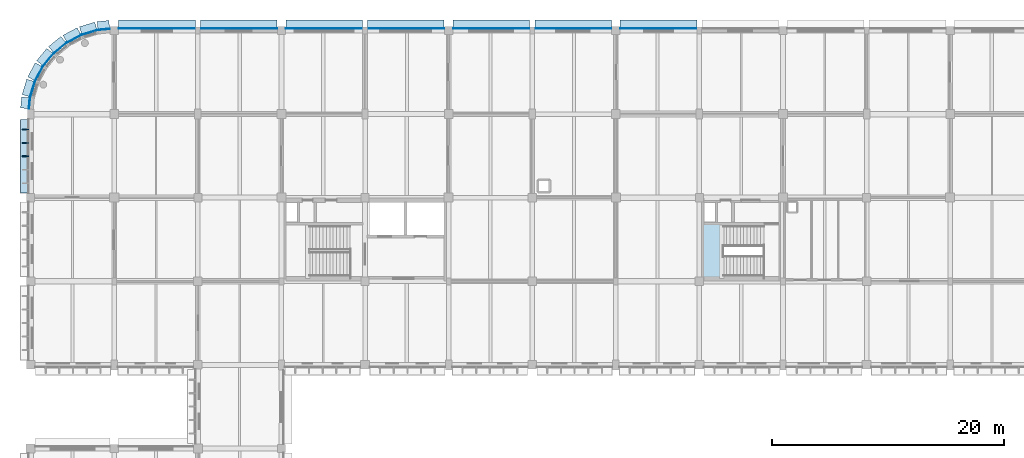
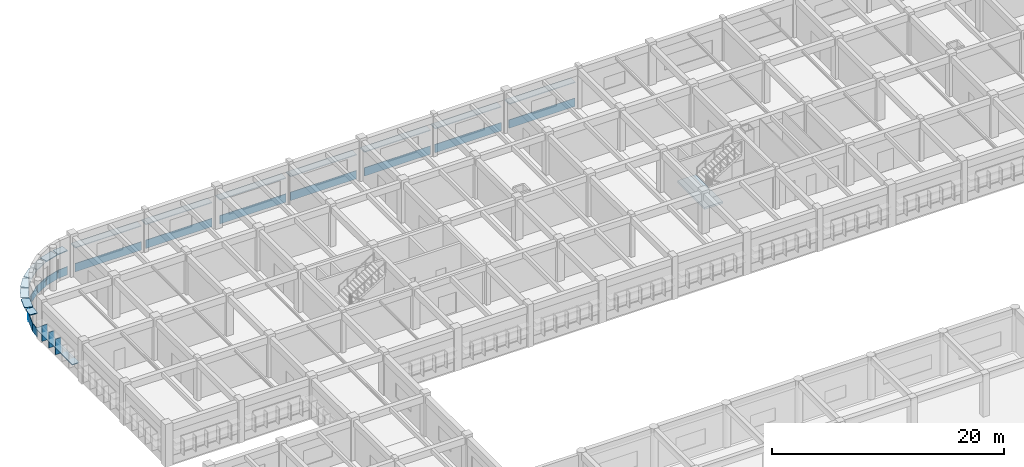
# One storey, part 27 of 61: 34 plates, 1 slab, 1 element without a shape of its own.
"""IFC4 building model written with IfcOpenShell, lengths in metres."""

from ifc_helpers import new_model, si_unit, direction, frame, origin, origin_2d, place, context, subcontext, project, spatial, polyline, rectangle, outline, extrude, material, layer, layer_set, type_object, element, aggregate, save


model = new_model("IFC4")

# Units and contexts
model_context = context("Model", 3, precision=1e-05, world=origin(), true_north=direction((0.0, 1.0)))
body_context = subcontext(model_context, "Body", "Model", "MODEL_VIEW")
ifc_project = project(units=[si_unit("LENGTHUNIT", "METRE"), si_unit("AREAUNIT", "SQUARE_METRE"), si_unit("VOLUMEUNIT", "CUBIC_METRE"), si_unit("PLANEANGLEUNIT", "RADIAN"), si_unit("MASSUNIT", "GRAM", prefix="KILO")], contexts=[model_context])

# Site, building, storey
site_placement = place(None, origin())
site = spatial("IfcSite", under=ifc_project, at=site_placement, CompositionType="ELEMENT")
building_placement = place(site_placement, origin())
building = spatial("IfcBuilding", under=site, at=building_placement, Name="Thalmaran Polytechnic", CompositionType="ELEMENT")
storey_placement = place(building_placement, frame((0.0, 0.0, 9.89990234375)))
storey = spatial("IfcBuildingStorey", under=building, at=storey_placement, Name="L02", CompositionType="ELEMENT", Elevation=9.89990234375)

# Plates
ifc_material_1 = material(Name="Anodised aluminium spandrel band", Category="aluminium")
ifc_layer_1 = layer(ifc_material_1, 0.054931640625, Name="Anodised aluminium spandrel band")
ifc_layer_set_1 = layer_set([ifc_layer_1], Name="Anodised aluminium spandrel band")
plate_type_1 = type_object("IfcPlateType", Name="PT-BD01", PredefinedType="SHEET", material=ifc_layer_set_1)
plate_1_placement = place(storey_placement, frame((-0.10400390625, 116.1328125, 0.020263671875), z_axis=(0.0, 0.0, 1.0), x_axis=(0.09801714033, 0.995184726672, 0.0)))
element("IfcPlate", 1, at=plate_1_placement, inside=storey, type_object=plate_type_1, Name="Streamline Horizontal Spandrel Band L02-021", PredefinedType="SHEET", context=body_context, shape_type="SweptSolid", body=[
    extrude(rectangle(XDim=0.9462890625, YDim=0.054931640625, at=origin_2d()), origin(), (0.0, 0.0, 1.0), 0.8798828125),
])
for number, where, z_axis, x_axis, name in (
    (2, (0.156494140625, 117.336669921875, 0.020263671875), (0.0, 0.0, 1.0), (0.290284677254, 0.956940335732, 0.0), "Streamline Horizontal Spandrel Band L02-022"),
    (3, (0.708740234375, 118.669677734375, 0.020263671875), (0.0, 0.0, 1.0), (0.471396736826, 0.881921264348, 0.0), "Streamline Horizontal Spandrel Band L02-023"),
    (4, (1.510498046875, 119.869384765625, 0.020263671875), (0.0, 0.0, 1.0), (0.634393284164, 0.773010453363, 0.0), "Streamline Horizontal Spandrel Band L02-024"),
    (5, (2.53076171875, 120.8896484375, 0.020263671875), (0.0, 0.0, 1.0), (0.773010453363, 0.634393284164, 0.0), "Streamline Horizontal Spandrel Band L02-025"),
    (6, (3.737548828125, 121.677978515625, 0.020263671875), (0.0, 0.0, 1.0), (0.881921264348, 0.471396736826, 0.0), "Streamline Horizontal Spandrel Band L02-026"),
    (7, (5.06787109375, 122.22900390625, 0.020263671875), (0.0, 0.0, 1.0), (0.956940335732, 0.290284677254, 0.0), "Streamline Horizontal Spandrel Band L02-027"),
):
    element("IfcPlate", number, at=place(storey_placement, frame(where, z_axis=z_axis, x_axis=x_axis)), inside=storey, type_object=plate_type_1, Name=name, PredefinedType="SHEET", context=body_context, shape_type="SweptSolid", body=[
        extrude(rectangle(XDim=1.371337890625, YDim=0.054931640625, at=origin_2d()), origin(), (0.0, 0.0, 1.0), 0.8798828125),
    ])
plate_2_placement = place(storey_placement, frame((6.30078125, 122.492431640625, 0.020263671875), z_axis=(0.0, 0.0, 1.0), x_axis=(0.995184726672, 0.09801714033, 0.0)))
element("IfcPlate", 8, at=plate_2_placement, inside=storey, type_object=plate_type_1, Name="Streamline Horizontal Spandrel Band L02-028", PredefinedType="SHEET", context=body_context, shape_type="SweptSolid", body=[
    extrude(rectangle(XDim=1.011474609375, YDim=0.054931640625, at=origin_2d()), origin(), (0.0, 0.0, 1.0), 0.8798828125),
])
for number, where, z_axis, x_axis, name in (
    (9, (10.8798828125, 122.580078125, 0.020263671875), (0.0, 0.0, 1.0), (1.0, 0.0, 0.0), "Streamline Horizontal Spandrel Band L02-029"),
    (10, (17.919921875, 122.580078125, 0.020263671875), (0.0, 0.0, 1.0), (1.0, 0.0, 0.0), "Streamline Horizontal Spandrel Band L02-030"),
    (11, (25.280029296875, 122.580078125, 0.020263671875), (0.0, 0.0, 1.0), (1.0, 0.0, 0.0), "Streamline Horizontal Spandrel Band L02-031"),
    (12, (32.320068359375, 122.580078125, 0.020263671875), (0.0, 0.0, 1.0), (1.0, 0.0, 0.0), "Streamline Horizontal Spandrel Band L02-032"),
    (13, (39.679931640625, 122.580078125, 0.020263671875), (0.0, 0.0, 1.0), (1.0, 0.0, 0.0), "Streamline Horizontal Spandrel Band L02-033"),
    (14, (46.719970703125, 122.580078125, 0.020263671875), (0.0, 0.0, 1.0), (1.0, 0.0, 0.0), "Streamline Horizontal Spandrel Band L02-034"),
    (15, (54.080078125, 122.580078125, 0.020263671875), (0.0, 0.0, 1.0), (1.0, 0.0, 0.0), "Streamline Horizontal Spandrel Band L02-035"),
):
    element("IfcPlate", number, at=place(storey_placement, frame(where, z_axis=z_axis, x_axis=x_axis)), inside=storey, type_object=plate_type_1, Name=name, PredefinedType="SHEET", context=body_context, shape_type="SweptSolid", body=[
        extrude(rectangle(XDim=6.60009765625, YDim=0.054931640625, at=origin_2d()), origin(), (0.0, 0.0, 1.0), 0.8798828125),
    ])
ifc_material_2 = material(Name="Anodised aluminium sun-hood eyebrow", Category="aluminium")
ifc_layer_2 = layer(ifc_material_2, 0.0849609375, Name="Anodised aluminium sun-hood eyebrow")
ifc_layer_set_2 = layer_set([ifc_layer_2], Name="Anodised aluminium sun-hood eyebrow")
plate_type_2 = type_object("IfcPlateType", Name="PT-EB01", PredefinedType="SHEET", material=ifc_layer_set_2)
plate_3_placement = place(storey_placement, frame((-0.52001953125, 111.5625, 1.74267578125), z_axis=(0.0, 0.0, 1.0), x_axis=(0.0, 1.0, 0.0)))
element("IfcPlate", 16, at=plate_3_placement, inside=storey, type_object=plate_type_2, Name="Abu Dhabi Horizontal Solar Louvre L02-020", PredefinedType="SHEET", context=body_context, shape_type="SweptSolid", body=[
    extrude(rectangle(XDim=6.344970703125, YDim=0.719970703125, at=origin_2d()), origin(), (0.0, 0.0, 1.0), 0.074951171875),
])
plate_4_placement = place(storey_placement, frame((-0.447509765625, 116.166748046875, 2.517578125), z_axis=(0.0, 0.0, 1.0), x_axis=(0.09801714033, 0.995184726672, 0.0)))
element("IfcPlate", 17, at=plate_4_placement, inside=storey, type_object=plate_type_2, Name="Streamline Sun-Hood Eyebrow L02-021", PredefinedType="SHEET", context=body_context, shape_type="SweptSolid", body=[
    extrude(rectangle(XDim=0.9462890625, YDim=0.760009765625, at=origin_2d()), origin(), (0.0, 0.0, 1.0), 0.0849609375),
])
for number, where, z_axis, x_axis, name in (
    (18, (-0.173583984375, 117.436767578125, 2.517578125), (0.0, 0.0, 1.0), (0.290284677254, 0.956940335732, 0.0), "Streamline Sun-Hood Eyebrow L02-022"),
    (19, (0.404541015625, 118.832275390625, 2.517578125), (0.0, 0.0, 1.0), (0.471396736826, 0.881921264348, 0.0), "Streamline Sun-Hood Eyebrow L02-023"),
    (20, (1.24365234375, 120.088134765625, 2.517578125), (0.0, 0.0, 1.0), (0.634393284164, 0.773010453363, 0.0), "Streamline Sun-Hood Eyebrow L02-024"),
    (21, (2.311767578125, 121.15625, 2.517578125), (0.0, 0.0, 1.0), (0.773010453363, 0.634393284164, 0.0), "Streamline Sun-Hood Eyebrow L02-025"),
    (22, (3.57470703125, 121.982177734375, 2.517578125), (0.0, 0.0, 1.0), (0.881921264348, 0.471396736826, 0.0), "Streamline Sun-Hood Eyebrow L02-026"),
    (23, (4.967529296875, 122.55908203125, 2.517578125), (0.0, 0.0, 1.0), (0.956940335732, 0.290284677254, 0.0), "Streamline Sun-Hood Eyebrow L02-027"),
):
    element("IfcPlate", number, at=place(storey_placement, frame(where, z_axis=z_axis, x_axis=x_axis)), inside=storey, type_object=plate_type_2, Name=name, PredefinedType="SHEET", context=body_context, shape_type="SweptSolid", body=[
        extrude(rectangle(XDim=1.371337890625, YDim=0.760009765625, at=origin_2d()), origin(), (0.0, 0.0, 1.0), 0.0849609375),
    ])
plate_5_placement = place(storey_placement, frame((6.26708984375, 122.835693359375, 2.517578125), z_axis=(0.0, 0.0, 1.0), x_axis=(0.995184726672, 0.09801714033, 0.0)))
element("IfcPlate", 24, at=plate_5_placement, inside=storey, type_object=plate_type_2, Name="Streamline Sun-Hood Eyebrow L02-028", PredefinedType="SHEET", context=body_context, shape_type="SweptSolid", body=[
    extrude(rectangle(XDim=1.011474609375, YDim=0.760009765625, at=origin_2d()), origin(), (0.0, 0.0, 1.0), 0.0849609375),
])
for number, where, z_axis, x_axis, name in (
    (25, (10.8798828125, 122.925048828125, 2.517578125), (0.0, 0.0, 1.0), (1.0, 0.0, 0.0), "Streamline Sun-Hood Eyebrow L02-029"),
    (26, (17.919921875, 122.925048828125, 2.517578125), (0.0, 0.0, 1.0), (1.0, 0.0, 0.0), "Streamline Sun-Hood Eyebrow L02-030"),
    (27, (25.280029296875, 122.925048828125, 2.517578125), (0.0, 0.0, 1.0), (1.0, 0.0, 0.0), "Streamline Sun-Hood Eyebrow L02-031"),
    (28, (32.320068359375, 122.925048828125, 2.517578125), (0.0, 0.0, 1.0), (1.0, 0.0, 0.0), "Streamline Sun-Hood Eyebrow L02-032"),
    (29, (39.679931640625, 122.925048828125, 2.517578125), (0.0, 0.0, 1.0), (1.0, 0.0, 0.0), "Streamline Sun-Hood Eyebrow L02-033"),
    (30, (46.719970703125, 122.925048828125, 2.517578125), (0.0, 0.0, 1.0), (1.0, 0.0, 0.0), "Streamline Sun-Hood Eyebrow L02-034"),
    (31, (54.080078125, 122.925048828125, 2.517578125), (0.0, 0.0, 1.0), (1.0, 0.0, 0.0), "Streamline Sun-Hood Eyebrow L02-035"),
):
    element("IfcPlate", number, at=place(storey_placement, frame(where, z_axis=z_axis, x_axis=x_axis)), inside=storey, type_object=plate_type_2, Name=name, PredefinedType="SHEET", context=body_context, shape_type="SweptSolid", body=[
        extrude(rectangle(XDim=6.60009765625, YDim=0.760009765625, at=origin_2d()), origin(), (0.0, 0.0, 1.0), 0.0849609375),
    ])
ifc_material_3 = material(Name="Anodised bronze brise-soleil fin")
ifc_layer_3 = layer(ifc_material_3, 0.06494140625, Name="Anodised bronze brise-soleil fin")
ifc_layer_set_3 = layer_set([ifc_layer_3], Name="Anodised bronze brise-soleil fin")
plate_type_3 = type_object("IfcPlateType", Name="PT-FN01", PredefinedType="SHEET", material=ifc_layer_set_3)
for number, where, z_axis, x_axis, name in (
    (32, (-0.4599609375, 111.5625, 0.895263671875), (0.0, 0.0, 1.0), (0.0, 1.0, 0.0), "Abu Dhabi Solar Brise-Soleil Fin L02-020-3"),
    (33, (-0.4599609375, 112.718994140625, 0.895263671875), (0.0, 0.0, 1.0), (0.0, 1.0, 0.0), "Abu Dhabi Solar Brise-Soleil Fin L02-020-4"),
    (34, (-0.4599609375, 113.87548828125, 0.895263671875), (0.0, 0.0, 1.0), (0.0, 1.0, 0.0), "Abu Dhabi Solar Brise-Soleil Fin L02-020-5"),
):
    element("IfcPlate", number, at=place(storey_placement, frame(where, z_axis=z_axis, x_axis=x_axis)), inside=storey, type_object=plate_type_3, Name=name, PredefinedType="SHEET", context=body_context, shape_type="SweptSolid", body=[
        extrude(rectangle(XDim=0.06494140625, YDim=0.56005859375, at=origin_2d()), origin(), (0.0, 0.0, 1.0), 1.64990234375),
    ])

# Stair, slab
ifc_material_4 = material(Name="Concrete C40/50", Category="concrete")
stair_type = type_object("IfcStairType", Name="ST-HT45", PredefinedType="HALF_TURN_STAIR", material=ifc_material_4)
stair_placement = place(storey_placement, origin())
stair = element("IfcStair", 35, at=stair_placement, inside=storey, type_object=stair_type, Name="Exit Stair ST6 L02", PredefinedType="HALF_TURN_STAIR")
ifc_layer_4 = layer(ifc_material_4, 0.2099609375, Name="Concrete C40/50")
ifc_layer_set_4 = layer_set([ifc_layer_4], Name="Concrete C40/50")
slab_type = type_object("IfcSlabType", Name="SL-LD01", PredefinedType="LANDING", material=ifc_layer_set_4)
slab_placement = place(storey_placement, frame((0.0, 0.0, 2.0400390625)))
slab = element("IfcSlab", 36, at=slab_placement, type_object=slab_type, Name="ST6 L02 Half Landing", PredefinedType="LANDING", context=body_context, shape_type="SweptSolid", body=[
    extrude(outline(polyline([(57.840087890625, 101.0400390625), (59.659912109375, 101.0400390625), (59.659912109375, 105.739990234375), (57.840087890625, 105.739990234375), (57.840087890625, 101.0400390625)])), origin(), (0.0, 0.0, 1.0), 0.2099609375),
])
aggregate(stair, [slab])

save(model, "model.ifc")
